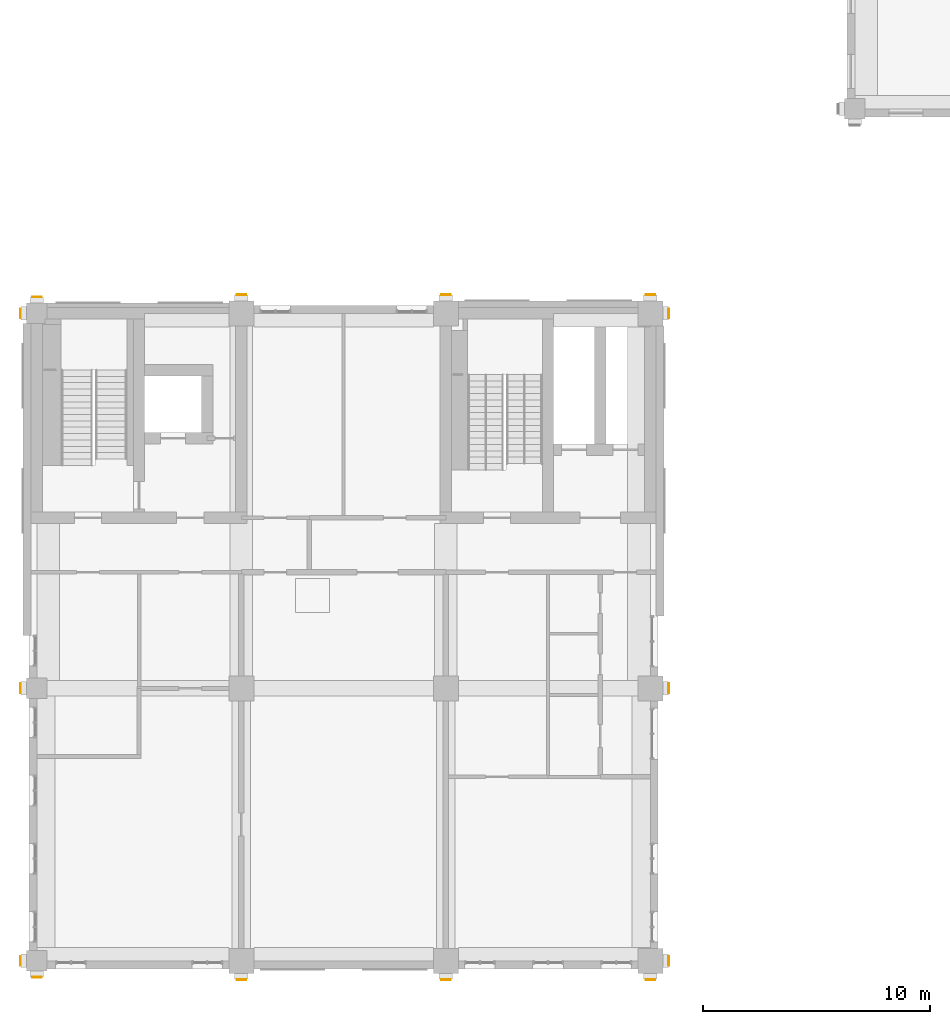
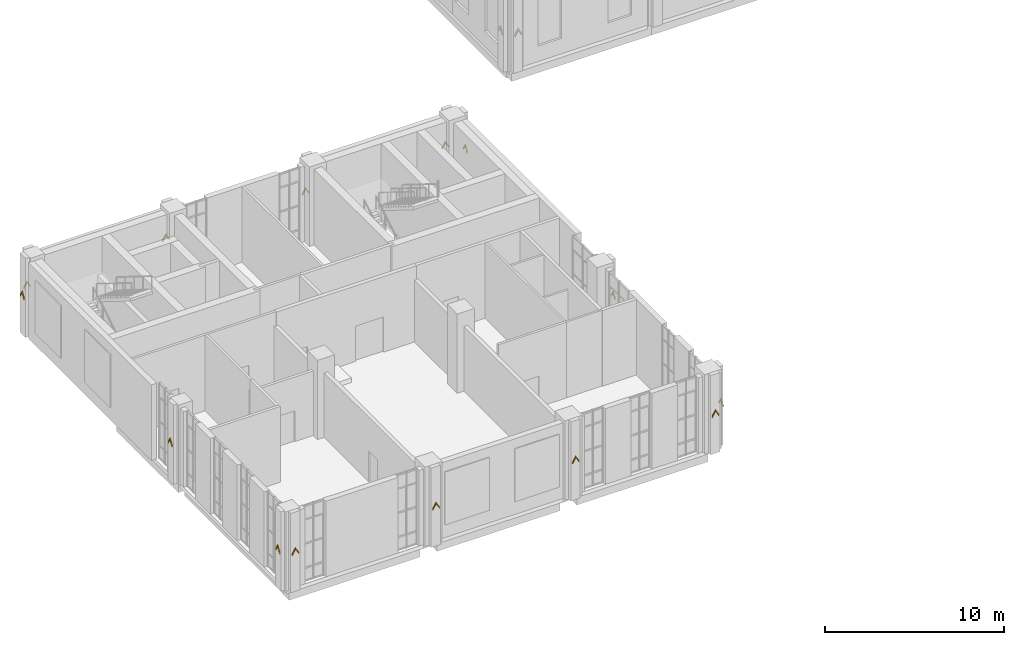
# One storey, part 38 of 39: 14 coverings.
"""IFC4 building model written with IfcOpenShell, lengths in metres."""

from ifc_helpers import new_model, si_unit, direction, frame, origin, place, context, subcontext, project, spatial, polyline, outline, extrude, material, layer, layer_set, type_object, element, save


model = new_model("IFC4")

# Units and contexts
model_context = context("Model", 3, precision=1e-05, world=origin(), true_north=direction((0.0, 1.0)))
body_context = subcontext(model_context, "Body", "Model", "MODEL_VIEW")
ifc_project = project(units=[si_unit("LENGTHUNIT", "METRE"), si_unit("AREAUNIT", "SQUARE_METRE"), si_unit("VOLUMEUNIT", "CUBIC_METRE"), si_unit("PLANEANGLEUNIT", "RADIAN"), si_unit("MASSUNIT", "GRAM", prefix="KILO")], contexts=[model_context])

# Site, building, storey
site_placement = place(None, origin())
site = spatial("IfcSite", under=ifc_project, at=site_placement, CompositionType="ELEMENT")
building_placement = place(site_placement, origin())
building = spatial("IfcBuilding", under=site, at=building_placement, Name="Aurelan Courthouse", CompositionType="ELEMENT")
storey_placement = place(building_placement, frame((0.0, 0.0, 28.199951171875)))
storey = spatial("IfcBuildingStorey", under=building, at=storey_placement, Name="L05", CompositionType="ELEMENT", Elevation=28.199951171875)

# Coverings
ifc_material = material(Name="Bronze sheet cladding")
ifc_layer = layer(ifc_material, 0.0400390625)
ifc_layer_set = layer_set([ifc_layer], Name="Bronze sheet cladding")
covering_type = type_object("IfcCoveringType", Name="Courts' Floors chevron relief 420 x 470", PredefinedType="CLADDING", material=ifc_layer_set)
for number, where, z_axis, x_axis, name in (
    (1, (0.0, -0.699951171875, -28.199951171875), (0.0, -1.0, 0.0), (1.0, 0.0, 0.0), "Chevron relief CH-V5-043"),
    (2, (9.0, -0.800048828125, -28.199951171875), (0.0, -1.0, 0.0), (1.0, 0.0, 0.0), "Chevron relief CH-V5-044"),
    (3, (18.0, -0.800048828125, -28.199951171875), (0.0, -1.0, 0.0), (1.0, 0.0, 0.0), "Chevron relief CH-V5-045"),
    (4, (27.0, -0.800048828125, -28.199951171875), (0.0, -1.0, 0.0), (1.0, 0.0, 0.0), "Chevron relief CH-V5-046"),
    (5, (0.0, 29.199951171875, -28.199951171875), (0.0, 1.0, 0.0), (-1.0, 0.0, 0.0), "Chevron relief CH-V5-047"),
    (6, (9.0, 29.300048828125, -28.199951171875), (0.0, 1.0, 0.0), (-1.0, 0.0, 0.0), "Chevron relief CH-V5-048"),
    (7, (18.0, 29.300048828125, -28.199951171875), (0.0, 1.0, 0.0), (-1.0, 0.0, 0.0), "Chevron relief CH-V5-049"),
    (8, (27.0, 29.300048828125, -28.199951171875), (0.0, 1.0, 0.0), (-1.0, 0.0, 0.0), "Chevron relief CH-V5-050"),
    (9, (27.800048828125, 0.0, -28.199951171875), (1.0, 0.0, 0.0), (0.0, 1.0, 0.0), "Chevron relief CH-V5-051"),
    (10, (27.800048828125, 12.0, -28.199951171875), (1.0, 0.0, 0.0), (0.0, 1.0, 0.0), "Chevron relief CH-V5-052"),
    (11, (27.800048828125, 28.5, -28.199951171875), (1.0, 0.0, 0.0), (0.0, 1.0, 0.0), "Chevron relief CH-V5-053"),
    (12, (-0.699951171875, 0.0, -28.199951171875), (-1.0, 0.0, 0.0), (0.0, -1.0, 0.0), "Chevron relief CH-V5-054"),
    (13, (-0.699951171875, 12.0, -28.199951171875), (-1.0, 0.0, 0.0), (0.0, -1.0, 0.0), "Chevron relief CH-V5-055"),
    (14, (-0.699951171875, 28.5, -28.199951171875), (-1.0, 0.0, 0.0), (0.0, -1.0, 0.0), "Chevron relief CH-V5-056"),
):
    element("IfcCovering", number, at=place(storey_placement, frame(where, z_axis=z_axis, x_axis=x_axis)), inside=storey, type_object=covering_type, Name=name, PredefinedType="CLADDING", context=body_context, shape_type="SweptSolid", body=[
        extrude(outline(polyline([(-0.2099609375, 30.72509765625), (0.0, 31.074951171875), (0.2099609375, 30.72509765625), (0.2099609375, 30.844970703125), (0.0, 31.195068359375), (-0.2099609375, 30.844970703125), (-0.2099609375, 30.72509765625)])), origin(), (0.0, 0.0, 1.0), 0.0400390625),
    ])

save(model, "model.ifc")
